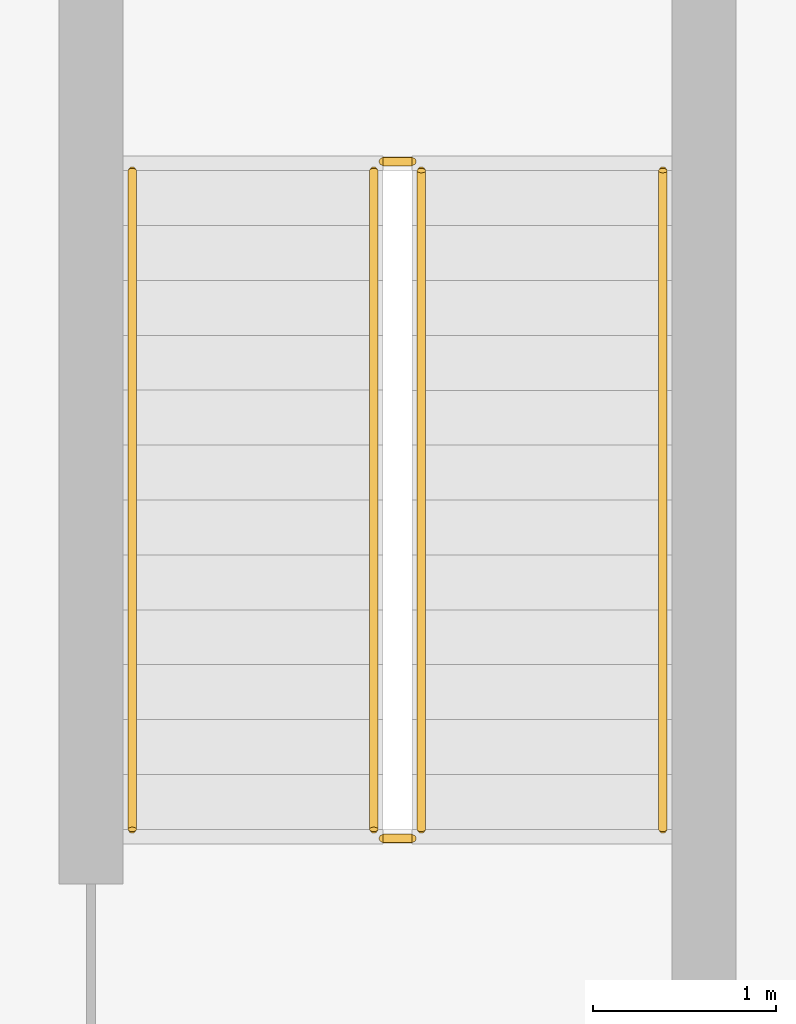
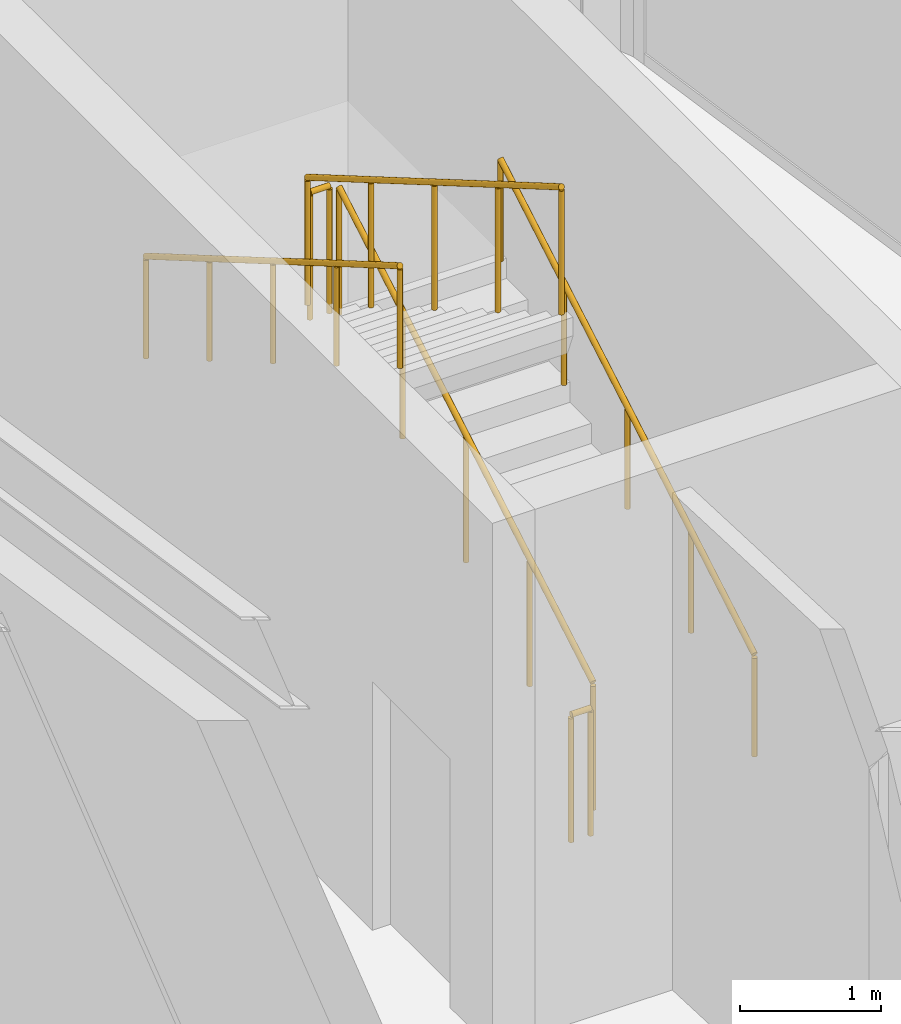
# One storey, part 102 of 116: 6 railings.
"""IFC4 building model written with IfcOpenShell, lengths in metres."""

import ifcopenshell
import ifcopenshell.guid

model = None  # the IFC model being written
_history = None  # IfcOwnerHistory: only IFC2X3 demands one
_inside = {}  # id of a spatial element -> (the spatial element, [elements in it])
_under = {}  # id of a project, library or spatial element -> (it, [spatial elements below it])
_declared = {}  # id of a project -> (the project, [libraries it declares])
_typed = {}  # id of a type object -> (the type object, [elements of that type])
_made_of = {}  # id of a material, layer set ... -> (it, [elements and type objects made of it])


def new_model(schema):
    """Start an empty IFC model of exactly this schema.

    Asked for "IFC4X3", IfcOpenShell would pick the latest addendum, in which some entities
    have other attributes; the version numbers below select the first issue.
    IFC2X3 requires an IfcOwnerHistory on every rooted entity: one is made here for all.
    """
    global model, _history
    if schema == "IFC4X3":
        model = ifcopenshell.file(schema_version=(4, 3, 0, 0))
    else:
        model = ifcopenshell.file(schema=schema)
    _inside.clear()
    _under.clear()
    _declared.clear()
    _typed.clear()
    _made_of.clear()
    _history = None
    if model.schema == "IFC2X3":
        org = make("IfcOrganization", Name="unknown")
        user = make(
            "IfcPersonAndOrganization",
            ThePerson=make("IfcPerson", FamilyName="unknown"),
            TheOrganization=org,
        )
        app = make(
            "IfcApplication",
            ApplicationDeveloper=org,
            Version="unknown",
            ApplicationFullName="unknown",
            ApplicationIdentifier="unknown",
        )
        _history = make(
            "IfcOwnerHistory",
            OwningUser=user,
            OwningApplication=app,
            ChangeAction="ADDED",
            CreationDate=0,
        )
    return model


def make(cls, **values):
    """One entity of the class cls with the attributes given. An attribute that is None is left unset."""
    return model.create_entity(
        cls, **{name: value for name, value in values.items() if value is not None}
    )


def rooted(cls, **values):
    """An entity with a GlobalId (a new one), such as an element, a storey or a relation."""
    return make(cls, GlobalId=ifcopenshell.guid.new(), OwnerHistory=_history, **values)


def si_unit(unit_type, name, prefix=None):
    """IfcSIUnit, for example si_unit("LENGTHUNIT", "METRE", prefix="MILLI")."""
    return make("IfcSIUnit", UnitType=unit_type, Prefix=prefix, Name=name)


def assignment(units):
    """IfcUnitAssignment: the units of a project."""
    return None if units is None else make("IfcUnitAssignment", Units=units)


def point(xyz):
    """IfcCartesianPoint."""
    return None if xyz is None else make("IfcCartesianPoint", Coordinates=xyz)


def direction(xyz):
    """IfcDirection."""
    return None if xyz is None else make("IfcDirection", DirectionRatios=xyz)


def frame(location, z_axis=None, x_axis=None):
    """IfcAxis2Placement3D, a coordinate frame: its origin and axes. An axis left out is left unset."""
    return make(
        "IfcAxis2Placement3D",
        Location=point(location),
        Axis=direction(z_axis),
        RefDirection=direction(x_axis),
    )


def frame_2d(location, x_axis=None):
    """IfcAxis2Placement2D, a coordinate frame in the plane: its origin and x axis."""
    return make(
        "IfcAxis2Placement2D", Location=point(location), RefDirection=direction(x_axis)
    )


def origin():
    """The frame at (0, 0, 0) with its axes left unset."""
    return frame((0.0, 0.0, 0.0))


def origin_2d():
    """The frame at (0, 0) in the plane with its x axis left unset."""
    return frame_2d((0.0, 0.0))


def place(relative_to, where):
    """IfcLocalPlacement: puts the frame where relative to a parent placement (None: the world)."""
    return make(
        "IfcLocalPlacement", PlacementRelTo=relative_to, RelativePlacement=where
    )


def context(
    kind, dimensions, precision=None, world=None, true_north=None, identifier=None
):
    """IfcGeometricRepresentationContext, for example the 3D "Model" context."""
    return make(
        "IfcGeometricRepresentationContext",
        ContextIdentifier=identifier,
        ContextType=kind,
        CoordinateSpaceDimension=dimensions,
        Precision=precision,
        WorldCoordinateSystem=world,
        TrueNorth=true_north,
    )


def subcontext(parent, identifier, kind, view, scale=None):
    """IfcGeometricRepresentationSubContext, for example "Body" below "Model"."""
    return make(
        "IfcGeometricRepresentationSubContext",
        ContextIdentifier=identifier,
        ContextType=kind,
        ParentContext=parent,
        TargetScale=scale,
        TargetView=view,
    )


def project(units=None, contexts=None):
    """IfcProject with its units and contexts."""
    return rooted(
        "IfcProject",
        Name="project",
        RepresentationContexts=contexts,
        UnitsInContext=assignment(units),
    )


def spatial(cls, under=None, at=None, **own):
    """A site, building, storey or space (cls), placed at a placement, below another one or the project."""
    s = rooted(cls, ObjectPlacement=at, **own)
    if under is not None:
        _under.setdefault(under.id(), (under, []))[1].append(s)
    return s


def profile(cls, at=None, kind="AREA", **sizes):
    """A parametric profile (cls). Its sizes go by their IFC names, for example OverallWidth=200.0."""
    return make(cls, ProfileType=kind, Position=at, **sizes)


def circle(**sizes):
    """IfcCircleProfileDef."""
    return profile("IfcCircleProfileDef", **sizes)


def extrude(swept, where, along, depth):
    """IfcExtrudedAreaSolid: the profile swept, set in the frame where, extruded along a direction by depth."""
    return make(
        "IfcExtrudedAreaSolid",
        SweptArea=swept,
        Position=where,
        ExtrudedDirection=direction(along),
        Depth=depth,
    )


def shape(context_of_items, identifier, shape_type, items):
    """IfcShapeRepresentation: the items that make up one representation, for example the "Body"."""
    return make(
        "IfcShapeRepresentation",
        ContextOfItems=context_of_items,
        RepresentationIdentifier=identifier,
        RepresentationType=shape_type,
        Items=items,
    )


def material(Name=None, Category=None):
    """IfcMaterial."""
    return make("IfcMaterial", Name=Name, Category=Category)


def made_of(thing, what):
    """Note that an element or type object is made of a material, layer set ...; save() writes the relation."""
    if what is not None:
        _made_of.setdefault(what.id(), (what, []))[1].append(thing)
    return thing


def type_object(cls, material=None, **own):
    """A type object (cls), such as IfcWallType, which elements share."""
    return made_of(rooted(cls, **own), material)


def element(
    cls,
    number,
    at=None,
    inside=None,
    cuts=None,
    type_object=None,
    material=None,
    context=None,
    identifier="Body",
    shape_type=None,
    held_by="IfcProductDefinitionShape",
    body=None,
    shapes=None,
    **own,
):
    """One element of the class cls, such as IfcWall. Its Tag is "e" and its number.

    at: its placement. inside: the storey or other place that contains it. cuts: it is an
    opening in that element (IfcRelVoidsElement). A single representation is given by context,
    identifier, shape_type and body (its items); several are given by shapes. held_by: the class
    of the entity that holds the representations. save() writes the other relations.
    """
    e = rooted(cls, Tag="e%d" % number, ObjectPlacement=at, **own)
    if body is not None:
        shapes = [shape(context, identifier, shape_type, body)]
    if shapes is not None:
        e.Representation = make(held_by, Representations=shapes)
    if inside is not None:
        _inside.setdefault(inside.id(), (inside, []))[1].append(e)
    if cuts is not None:
        rooted(
            "IfcRelVoidsElement", RelatingBuildingElement=cuts, RelatedOpeningElement=e
        )
    if type_object is not None:
        _typed.setdefault(type_object.id(), (type_object, []))[1].append(e)
    return made_of(e, material)


def aggregate(whole, parts):
    """IfcRelAggregates: a whole, such as a stair, and the parts it consists of."""
    return rooted("IfcRelAggregates", RelatingObject=whole, RelatedObjects=parts)


def save(model, path):
    """Write the relations noted so far, then the file.

    IfcRelAggregates (storeys below a building ...), IfcRelContainedInSpatialStructure (elements
    in a storey), IfcRelDefinesByType, IfcRelAssociatesMaterial and IfcRelDeclares: one each for
    every whole, place, type object, material and project.
    """
    for whole, parts in _under.values():
        aggregate(whole, parts)
    for where, things in _inside.values():
        rooted(
            "IfcRelContainedInSpatialStructure",
            RelatedElements=things,
            RelatingStructure=where,
        )
    for kind, things in _typed.values():
        rooted("IfcRelDefinesByType", RelatedObjects=things, RelatingType=kind)
    for what, things in _made_of.values():
        rooted("IfcRelAssociatesMaterial", RelatedObjects=things, RelatingMaterial=what)
    for by, libraries in _declared.values():
        rooted("IfcRelDeclares", RelatingContext=by, RelatedDefinitions=libraries)
    model.write(path)


model = new_model("IFC4")

# Units and contexts
model_context = context("Model", 3, precision=1e-05, world=origin(), true_north=direction((0.0, 1.0)))
body_context = subcontext(model_context, "Body", "Model", "MODEL_VIEW")
ifc_project = project(units=[si_unit("LENGTHUNIT", "METRE"), si_unit("AREAUNIT", "SQUARE_METRE"), si_unit("VOLUMEUNIT", "CUBIC_METRE"), si_unit("PLANEANGLEUNIT", "RADIAN"), si_unit("MASSUNIT", "GRAM", prefix="KILO")], contexts=[model_context])

# Site, building, storey
site_placement = place(None, origin())
site = spatial("IfcSite", under=ifc_project, at=site_placement, CompositionType="ELEMENT")
building_placement = place(site_placement, origin())
building = spatial("IfcBuilding", under=site, at=building_placement, Name="Almandine Court Research Institute", CompositionType="ELEMENT")
storey_placement = place(building_placement, frame((0.0, 0.0, 14.35009765625)))
storey = spatial("IfcBuildingStorey", under=building, at=storey_placement, Name="L03", CompositionType="ELEMENT", Elevation=14.35009765625)

# Railings
ifc_material_1 = material(Name="Powder-Coated Steel Stair and Atrium Balustrade", Category="steel")
railing_type_1 = type_object("IfcRailingType", Name="Rail-GUARD-INT", PredefinedType="BALUSTRADE", material=ifc_material_1)
railing_1_placement = place(storey_placement, frame((129.6298828125, 60.64990234375, 0.1748046875)))
element("IfcRailing", 1, at=railing_1_placement, inside=storey, type_object=railing_type_1, Name="L03 ST-14 stair guard 1", PredefinedType="BALUSTRADE", context=body_context, shape_type="SweptSolid", body=[
    extrude(circle(Radius=0.02392578125, at=origin_2d()), frame((0.0, 0.0, 1.09619140625), z_axis=(0.0, 0.863774651768, 0.503878309678), x_axis=(-1.0, 0.0, 0.0)), (0.0, 0.0, 1.0), 4.16796875),
    extrude(circle(Radius=0.02099609375, at=origin_2d()), origin(), (0.0, 0.0, 1.0), 1.072021484375),
    extrude(circle(Radius=0.02099609375, at=origin_2d()), frame((0.0, 0.89990234375, 0.52490234375)), (0.0, 0.0, 1.0), 1.072021484375),
    extrude(circle(Radius=0.02099609375, at=origin_2d()), frame((0.0, 1.800048828125, 1.050048828125)), (0.0, 0.0, 1.0), 1.072021484375),
    extrude(circle(Radius=0.02099609375, at=origin_2d()), frame((0.0, 2.7001953125, 1.5751953125)), (0.0, 0.0, 1.0), 1.072021484375),
    extrude(circle(Radius=0.02099609375, at=origin_2d()), frame((0.0, 3.60009765625, 2.10009765625)), (0.0, 0.0, 1.0), 1.072021484375),
])
railing_2_placement = place(storey_placement, frame((129.580078125, 64.300048828125, 2.27490234375)))
element("IfcRailing", 2, at=railing_2_placement, inside=storey, type_object=railing_type_1, Name="L03 ST-14 stair guard 2", PredefinedType="BALUSTRADE", context=body_context, shape_type="SweptSolid", body=[
    extrude(circle(Radius=0.02392578125, at=origin_2d()), frame((0.0, 0.0, 1.09619140625), z_axis=(-1.0, 0.0, 0.0), x_axis=(0.0, -1.0, 0.0)), (0.0, 0.0, 1.0), 0.16015625),
    extrude(circle(Radius=0.02099609375, at=origin_2d()), origin(), (0.0, 0.0, 1.0), 1.072021484375),
    extrude(circle(Radius=0.02099609375, at=origin_2d()), frame((-0.16015625, 0.0, 0.0)), (0.0, 0.0, 1.0), 1.072021484375),
])
railing_3_placement = place(storey_placement, frame((129.3701171875, 64.25, 2.449951171875)))
element("IfcRailing", 3, at=railing_3_placement, inside=storey, type_object=railing_type_1, Name="L03 ST-14 stair guard 3", PredefinedType="BALUSTRADE", context=body_context, shape_type="SweptSolid", body=[
    extrude(circle(Radius=0.02392578125, at=origin_2d()), frame((0.0, 0.0, 1.09619140625), z_axis=(0.0, -0.863800146258, 0.503834603144), x_axis=(1.0, 0.0, 0.0)), (0.0, 0.0, 1.0), 4.167724609375),
    extrude(circle(Radius=0.02099609375, at=origin_2d()), origin(), (0.0, 0.0, 1.0), 1.072021484375),
    extrude(circle(Radius=0.02099609375, at=origin_2d()), frame((0.0, -0.89990234375, 0.52490234375)), (0.0, 0.0, 1.0), 1.072021484375),
    extrude(circle(Radius=0.02099609375, at=origin_2d()), frame((0.0, -1.800048828125, 1.0498046875)), (0.0, 0.0, 1.0), 1.072021484375),
    extrude(circle(Radius=0.02099609375, at=origin_2d()), frame((0.0, -2.7001953125, 1.574951171875)), (0.0, 0.0, 1.0), 1.072021484375),
    extrude(circle(Radius=0.02099609375, at=origin_2d()), frame((0.0, -3.60009765625, 2.099853515625)), (0.0, 0.0, 1.0), 1.072021484375),
])
railing_4_placement = place(storey_placement, frame((129.580078125, 60.60009765625, 0.0)))
element("IfcRailing", 4, at=railing_4_placement, inside=storey, type_object=railing_type_1, Name="L03 ST-14 stair guard 4", PredefinedType="BALUSTRADE", context=body_context, shape_type="SweptSolid", body=[
    extrude(circle(Radius=0.02392578125, at=origin_2d()), frame((0.0, 0.0, 1.09619140625), z_axis=(-1.0, 0.0, 0.0), x_axis=(0.0, -1.0, 0.0)), (0.0, 0.0, 1.0), 0.16015625),
    extrude(circle(Radius=0.02099609375, at=origin_2d()), origin(), (0.0, 0.0, 1.0), 1.072021484375),
    extrude(circle(Radius=0.02099609375, at=origin_2d()), frame((-0.16015625, 0.0, 0.0)), (0.0, 0.0, 1.0), 1.072021484375),
])
ifc_material_2 = material(Name="Brushed Stainless Steel Wall Handrail", Category="steel")
railing_type_2 = type_object("IfcRailingType", Name="Rail-HAND-INT", PredefinedType="HANDRAIL", material=ifc_material_2)
railing_5_placement = place(storey_placement, frame((130.949951171875, 60.64990234375, 0.1748046875)))
element("IfcRailing", 5, at=railing_5_placement, inside=storey, type_object=railing_type_2, Name="L03 ST-14 stair handrail 1", PredefinedType="HANDRAIL", context=body_context, shape_type="SweptSolid", body=[
    extrude(circle(Radius=0.02392578125, at=origin_2d()), frame((0.0, 0.0, 0.8759765625), z_axis=(0.0, 0.863774651768, 0.503878309678), x_axis=(-1.0, 0.0, 0.0)), (0.0, 0.0, 1.0), 4.16796875),
    extrude(circle(Radius=0.02099609375, at=origin_2d()), origin(), (0.0, 0.0, 1.0), 0.851806640625),
    extrude(circle(Radius=0.02099609375, at=origin_2d()), frame((0.0, 0.89990234375, 0.52490234375)), (0.0, 0.0, 1.0), 0.851806640625),
    extrude(circle(Radius=0.02099609375, at=origin_2d()), frame((0.0, 1.800048828125, 1.050048828125)), (0.0, 0.0, 1.0), 0.851806640625),
    extrude(circle(Radius=0.02099609375, at=origin_2d()), frame((0.0, 2.7001953125, 1.5751953125)), (0.0, 0.0, 1.0), 0.851806640625),
    extrude(circle(Radius=0.02099609375, at=origin_2d()), frame((0.0, 3.60009765625, 2.10009765625)), (0.0, 0.0, 1.0), 0.851806640625),
])
railing_6_placement = place(storey_placement, frame((128.050048828125, 64.25, 2.449951171875)))
element("IfcRailing", 6, at=railing_6_placement, inside=storey, type_object=railing_type_2, Name="L03 ST-14 stair handrail 2", PredefinedType="HANDRAIL", context=body_context, shape_type="SweptSolid", body=[
    extrude(circle(Radius=0.02392578125, at=origin_2d()), frame((0.0, 0.0, 0.8759765625), z_axis=(0.0, -0.863800146258, 0.503834603144), x_axis=(1.0, 0.0, 0.0)), (0.0, 0.0, 1.0), 4.167724609375),
    extrude(circle(Radius=0.02099609375, at=origin_2d()), origin(), (0.0, 0.0, 1.0), 0.851806640625),
    extrude(circle(Radius=0.02099609375, at=origin_2d()), frame((0.0, -0.89990234375, 0.52490234375)), (0.0, 0.0, 1.0), 0.851806640625),
    extrude(circle(Radius=0.02099609375, at=origin_2d()), frame((0.0, -1.800048828125, 1.0498046875)), (0.0, 0.0, 1.0), 0.851806640625),
    extrude(circle(Radius=0.02099609375, at=origin_2d()), frame((0.0, -2.7001953125, 1.574951171875)), (0.0, 0.0, 1.0), 0.851806640625),
    extrude(circle(Radius=0.02099609375, at=origin_2d()), frame((0.0, -3.60009765625, 2.099853515625)), (0.0, 0.0, 1.0), 0.851806640625),
])

save(model, "model.ifc")
